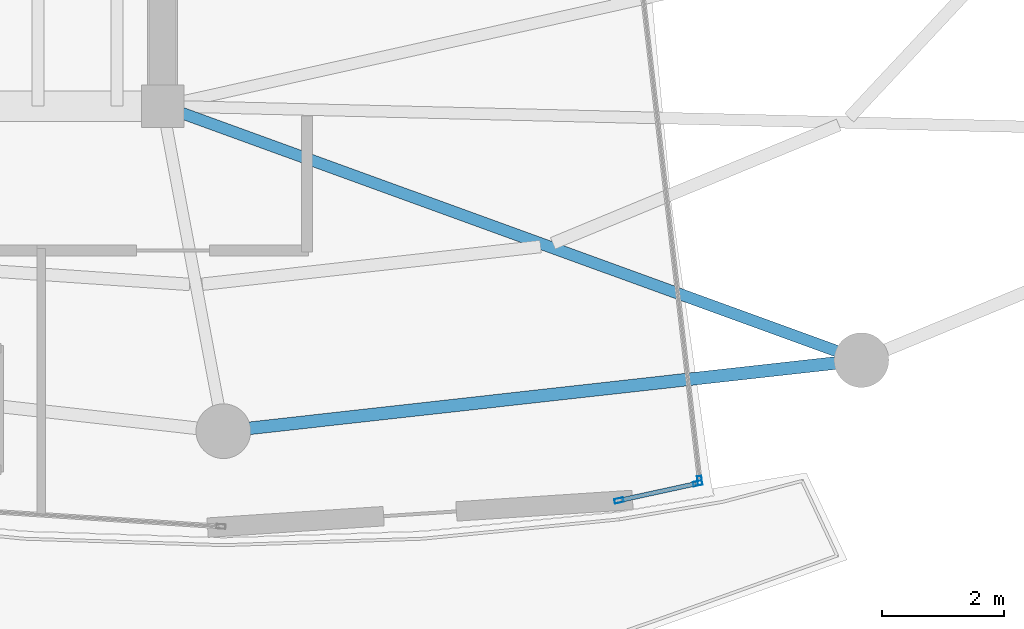
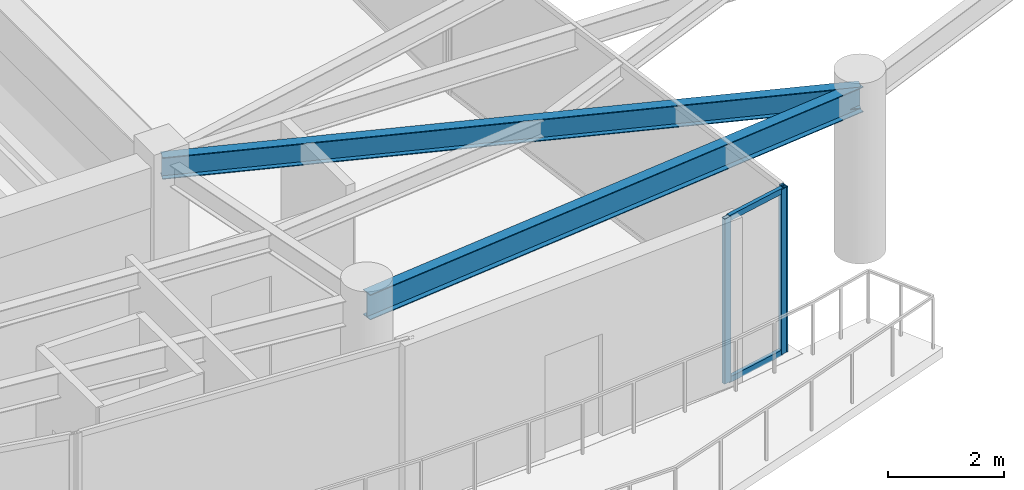
# One storey, part 9 of 22: 5 members, 2 beams, 2 elements without a shape of their own.
"""IFC4 building model written with IfcOpenShell, lengths in metres."""

from ifc_helpers import new_model, si_unit, direction, frame, origin, origin_2d, place, context, subcontext, project, spatial, hollow_rectangle, i_section, extrude, material, layer, layer_set, material_profile, profile_set, type_object, element, aggregate, save


model = new_model("IFC4")

# Units and contexts
model_context = context("Model", 3, precision=1e-05, world=origin(), true_north=direction((0.0, 1.0)))
body_context = subcontext(model_context, "Body", "Model", "MODEL_VIEW")
ifc_project = project(units=[si_unit("LENGTHUNIT", "METRE"), si_unit("AREAUNIT", "SQUARE_METRE"), si_unit("VOLUMEUNIT", "CUBIC_METRE"), si_unit("PLANEANGLEUNIT", "RADIAN"), si_unit("MASSUNIT", "GRAM", prefix="KILO")], contexts=[model_context])

# Site, building, storey
site_placement = place(None, origin())
site = spatial("IfcSite", under=ifc_project, at=site_placement, CompositionType="ELEMENT")
building_placement = place(site_placement, origin())
building = spatial("IfcBuilding", under=site, at=building_placement, Name="Kazevale Care Tower and Concert Hall", CompositionType="ELEMENT")
storey_placement = place(building_placement, frame((0.0, 0.0, 277.60009765625)))
storey = spatial("IfcBuildingStorey", under=building, at=storey_placement, Name="L73", CompositionType="ELEMENT", Elevation=277.60009765625)

# Curtain wall, member
ifc_material_1 = material(Name="Aluminium 6063-T6 and Low-E Glass", Category="aluminium")
ifc_layer = layer(ifc_material_1, 0.179931640625)
ifc_layer_set = layer_set([ifc_layer], Name="Aluminium 6063-T6 and Low-E Glass")
curtain_wall_type = type_object("IfcCurtainWallType", Name="Sheltered Concave Balcony Curtain Wall CW-5", PredefinedType="NOTDEFINED", material=ifc_layer_set)
curtain_wall_1_placement = place(storey_placement, origin())
curtain_wall_1 = element("IfcCurtainWall", 1, at=curtain_wall_1_placement, inside=storey, type_object=curtain_wall_type, Name="cw:L73:f15", PredefinedType="NOTDEFINED")
ifc_material_2 = material(Name="Aluminium 6063-T6", Category="aluminium")
ifc_material_profile_1 = material_profile(ifc_material_2, hollow_rectangle(XDim=0.074951171875, YDim=0.14990234375, WallThickness=0.00390625, at=origin_2d()), Name="ALU75x150x4")
ifc_profile_set_1 = profile_set([ifc_material_profile_1], Name="Aluminium 6063-T6")
member_type_1 = type_object("IfcMemberType", Name="CW-5 Mullion ALU75x150x4", PredefinedType="MULLION", material=ifc_profile_set_1)
member_1_placement = place(storey_placement, frame((52.838623046875, 17.437255859375, 0.0), z_axis=(0.0, 0.0, 1.0), x_axis=(0.993190623592, 0.116500580295, 0.0)))
member_1 = element("IfcMember", 2, at=member_1_placement, type_object=member_type_1, Name="CW-5 mullion 2", PredefinedType="MULLION", context=body_context, shape_type="SweptSolid", body=[
    extrude(hollow_rectangle(XDim=0.074951171875, YDim=0.14990234375, WallThickness=0.00390625, at=origin_2d()), origin(), (0.0, 0.0, 1.0), 3.47998046875),
])
aggregate(curtain_wall_1, [member_1])

# Curtain wall, members
curtain_wall_2_placement = place(storey_placement, origin())
curtain_wall_2 = element("IfcCurtainWall", 3, at=curtain_wall_2_placement, inside=storey, type_object=curtain_wall_type, Name="cw:L73:f16", PredefinedType="NOTDEFINED")
member_2_placement = place(storey_placement, frame((52.806396484375, 17.39208984375, 0.0), z_axis=(0.0, 0.0, 1.0), x_axis=(0.212696324933, -0.977118351767, 0.0)))
member_2 = element("IfcMember", 4, at=member_2_placement, type_object=member_type_1, Name="CW-5 mullion 1", PredefinedType="MULLION", context=body_context, shape_type="SweptSolid", body=[
    extrude(hollow_rectangle(XDim=0.074951171875, YDim=0.14990234375, WallThickness=0.00390625, at=origin_2d()), origin(), (0.0, 0.0, 1.0), 3.47998046875),
])
member_3_placement = place(storey_placement, frame((51.5107421875, 17.10986328125, 0.0), z_axis=(0.0, 0.0, 1.0), x_axis=(0.212696324933, -0.977118351767, 0.0)))
member_3 = element("IfcMember", 5, at=member_3_placement, type_object=member_type_1, Name="CW-5 mullion 2", PredefinedType="MULLION", context=body_context, shape_type="SweptSolid", body=[
    extrude(hollow_rectangle(XDim=0.074951171875, YDim=0.14990234375, WallThickness=0.00390625, at=origin_2d()), origin(), (0.0, 0.0, 1.0), 3.47998046875),
])
ifc_material_profile_2 = material_profile(ifc_material_2, hollow_rectangle(XDim=0.074951171875, YDim=0.1201171875, WallThickness=0.00390625, at=origin_2d()), Name="ALU75x120x4")
ifc_profile_set_2 = profile_set([ifc_material_profile_2], Name="Aluminium 6063-T6")
member_type_2 = type_object("IfcMemberType", Name="CW-5 Transom ALU75x120x4", PredefinedType="USERDEFINED", material=ifc_profile_set_2)
member_4_placement = place(storey_placement, frame((52.769775390625, 17.384033203125, 0.037353515625), z_axis=(-0.97711467801, -0.212713201324, 0.0), x_axis=(0.212713201324, -0.97711467801, 0.0)))
member_4 = element("IfcMember", 6, at=member_4_placement, type_object=member_type_2, Name="CW-5 transom 1.1", ObjectType="TRANSOM", PredefinedType="USERDEFINED", context=body_context, shape_type="SweptSolid", body=[
    extrude(hollow_rectangle(XDim=0.074951171875, YDim=0.1201171875, WallThickness=0.00390625, at=origin_2d()), origin(), (0.0, 0.0, 1.0), 1.2509765625),
])
member_5_placement = place(storey_placement, frame((52.769775390625, 17.384033203125, 3.4423828125), z_axis=(-0.97711467801, -0.212713201324, 0.0), x_axis=(0.212713201324, -0.97711467801, 0.0)))
member_5 = element("IfcMember", 7, at=member_5_placement, type_object=member_type_2, Name="CW-5 transom 1.2", ObjectType="TRANSOM", PredefinedType="USERDEFINED", context=body_context, shape_type="SweptSolid", body=[
    extrude(hollow_rectangle(XDim=0.074951171875, YDim=0.1201171875, WallThickness=0.00390625, at=origin_2d()), origin(), (0.0, 0.0, 1.0), 1.2509765625),
])
aggregate(curtain_wall_2, [member_2, member_3, member_4, member_5])

# Beams
ifc_material_3 = material(Name="Steel ASTM A572 Gr 50", Category="steel")
ifc_material_profile_3 = material_profile(ifc_material_3, i_section(OverallWidth=0.19091796875, OverallDepth=0.4599609375, WebThickness=0.010009765625, FlangeThickness=0.01611328125, at=origin_2d()), Name="W460x82")
ifc_profile_set_3 = profile_set([ifc_material_profile_3], Name="Steel ASTM A572 Gr 50")
beam_type_1 = type_object("IfcBeamType", Name="Radial Floor Beam W460x82", PredefinedType="BEAM", material=ifc_profile_set_3)
beam_1_placement = place(storey_placement, frame((44.0, 23.60009765625, 3.25), z_axis=(0.939836524786, -0.341624511239, 0.0), x_axis=(0.341624511239, 0.939836524786, 0.0)))
element("IfcBeam", 8, at=beam_1_placement, inside=storey, type_object=beam_type_1, Name="beam:L73:rad:14", PredefinedType="BEAM", context=body_context, shape_type="SweptSolid", body=[
    extrude(i_section(OverallWidth=0.19091796875, OverallDepth=0.4599609375, WebThickness=0.010009765625, FlangeThickness=0.01611328125, at=origin_2d()), origin(), (0.0, 0.0, 1.0), 12.236083984375),
])
ifc_material_profile_4 = material_profile(ifc_material_3, i_section(OverallWidth=0.208984375, OverallDepth=0.532958984375, WebThickness=0.01025390625, FlangeThickness=0.015625, at=origin_2d()), Name="W530x92")
ifc_profile_set_4 = profile_set([ifc_material_profile_4], Name="Steel ASTM A572 Gr 50")
beam_type_2 = type_object("IfcBeamType", Name="Upper Ring Beam W530x92", PredefinedType="BEAM", material=ifc_profile_set_4)
beam_2_placement = place(storey_placement, frame((45.0, 18.25, 3.21337890625), z_axis=(0.993849870772, 0.110735876598, 0.0), x_axis=(-0.110735876598, 0.993849870772, 0.0)))
element("IfcBeam", 9, at=beam_2_placement, inside=storey, type_object=beam_type_2, Name="beam:L73:ring:13", PredefinedType="BEAM", context=body_context, shape_type="SweptSolid", body=[
    extrude(i_section(OverallWidth=0.208984375, OverallDepth=0.532958984375, WebThickness=0.01025390625, FlangeThickness=0.015625, at=origin_2d()), origin(), (0.0, 0.0, 1.0), 10.56494140625),
])

save(model, "model.ifc")
